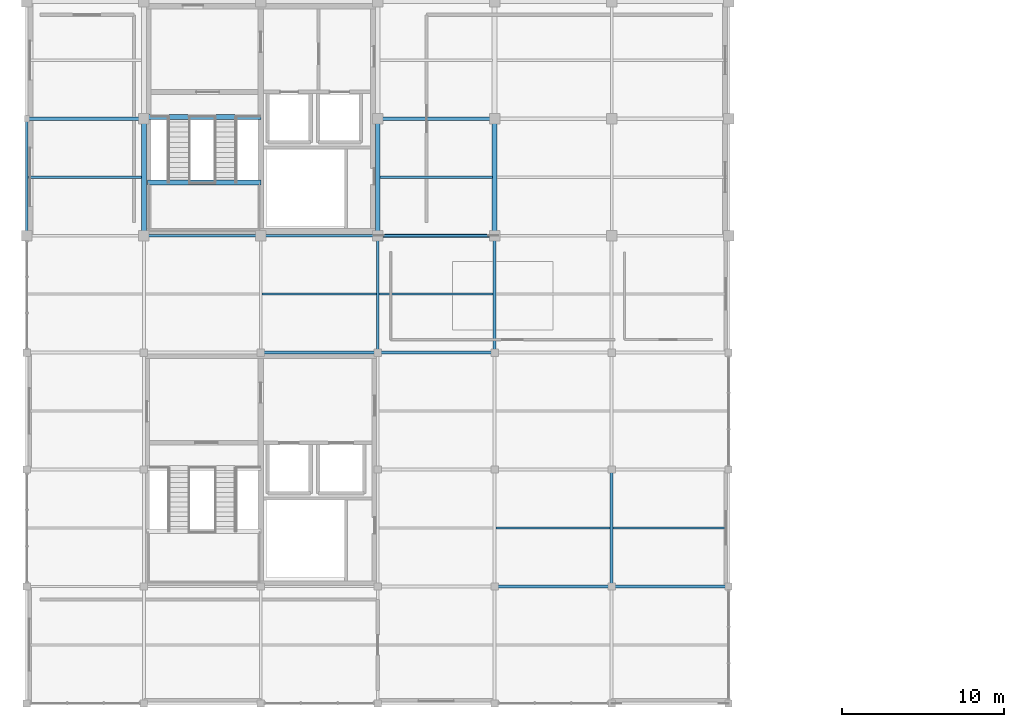
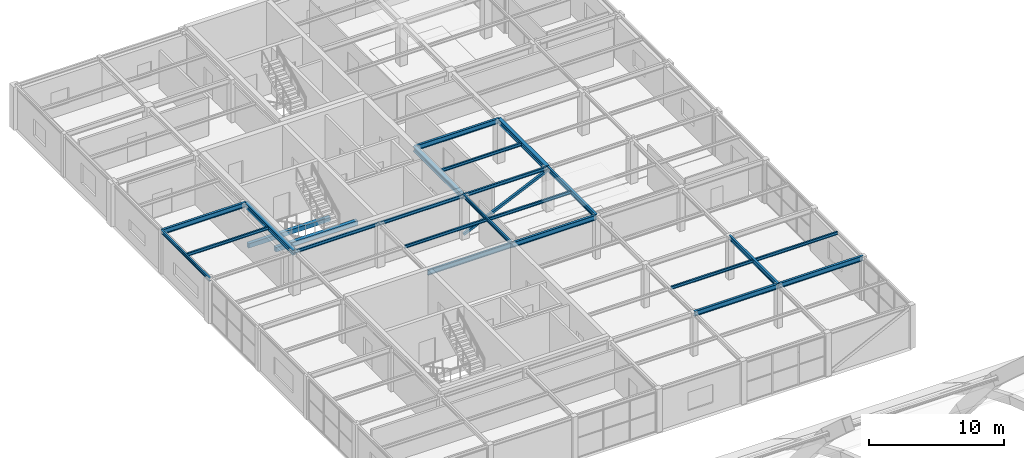
# One storey, part 32 of 64: 24 beams, 1 member.
"""IFC4 building model written with IfcOpenShell, lengths in metres."""

import ifcopenshell
import ifcopenshell.guid

model = None  # the IFC model being written
_history = None  # IfcOwnerHistory: only IFC2X3 demands one
_inside = {}  # id of a spatial element -> (the spatial element, [elements in it])
_under = {}  # id of a project, library or spatial element -> (it, [spatial elements below it])
_declared = {}  # id of a project -> (the project, [libraries it declares])
_typed = {}  # id of a type object -> (the type object, [elements of that type])
_made_of = {}  # id of a material, layer set ... -> (it, [elements and type objects made of it])


def new_model(schema):
    """Start an empty IFC model of exactly this schema.

    Asked for "IFC4X3", IfcOpenShell would pick the latest addendum, in which some entities
    have other attributes; the version numbers below select the first issue.
    IFC2X3 requires an IfcOwnerHistory on every rooted entity: one is made here for all.
    """
    global model, _history
    if schema == "IFC4X3":
        model = ifcopenshell.file(schema_version=(4, 3, 0, 0))
    else:
        model = ifcopenshell.file(schema=schema)
    _inside.clear()
    _under.clear()
    _declared.clear()
    _typed.clear()
    _made_of.clear()
    _history = None
    if model.schema == "IFC2X3":
        org = make("IfcOrganization", Name="unknown")
        user = make(
            "IfcPersonAndOrganization",
            ThePerson=make("IfcPerson", FamilyName="unknown"),
            TheOrganization=org,
        )
        app = make(
            "IfcApplication",
            ApplicationDeveloper=org,
            Version="unknown",
            ApplicationFullName="unknown",
            ApplicationIdentifier="unknown",
        )
        _history = make(
            "IfcOwnerHistory",
            OwningUser=user,
            OwningApplication=app,
            ChangeAction="ADDED",
            CreationDate=0,
        )
    return model


def make(cls, **values):
    """One entity of the class cls with the attributes given. An attribute that is None is left unset."""
    return model.create_entity(
        cls, **{name: value for name, value in values.items() if value is not None}
    )


def rooted(cls, **values):
    """An entity with a GlobalId (a new one), such as an element, a storey or a relation."""
    return make(cls, GlobalId=ifcopenshell.guid.new(), OwnerHistory=_history, **values)


def si_unit(unit_type, name, prefix=None):
    """IfcSIUnit, for example si_unit("LENGTHUNIT", "METRE", prefix="MILLI")."""
    return make("IfcSIUnit", UnitType=unit_type, Prefix=prefix, Name=name)


def assignment(units):
    """IfcUnitAssignment: the units of a project."""
    return None if units is None else make("IfcUnitAssignment", Units=units)


def point(xyz):
    """IfcCartesianPoint."""
    return None if xyz is None else make("IfcCartesianPoint", Coordinates=xyz)


def direction(xyz):
    """IfcDirection."""
    return None if xyz is None else make("IfcDirection", DirectionRatios=xyz)


def frame(location, z_axis=None, x_axis=None):
    """IfcAxis2Placement3D, a coordinate frame: its origin and axes. An axis left out is left unset."""
    return make(
        "IfcAxis2Placement3D",
        Location=point(location),
        Axis=direction(z_axis),
        RefDirection=direction(x_axis),
    )


def frame_2d(location, x_axis=None):
    """IfcAxis2Placement2D, a coordinate frame in the plane: its origin and x axis."""
    return make(
        "IfcAxis2Placement2D", Location=point(location), RefDirection=direction(x_axis)
    )


def origin():
    """The frame at (0, 0, 0) with its axes left unset."""
    return frame((0.0, 0.0, 0.0))


def origin_2d():
    """The frame at (0, 0) in the plane with its x axis left unset."""
    return frame_2d((0.0, 0.0))


def place(relative_to, where):
    """IfcLocalPlacement: puts the frame where relative to a parent placement (None: the world)."""
    return make(
        "IfcLocalPlacement", PlacementRelTo=relative_to, RelativePlacement=where
    )


def context(
    kind, dimensions, precision=None, world=None, true_north=None, identifier=None
):
    """IfcGeometricRepresentationContext, for example the 3D "Model" context."""
    return make(
        "IfcGeometricRepresentationContext",
        ContextIdentifier=identifier,
        ContextType=kind,
        CoordinateSpaceDimension=dimensions,
        Precision=precision,
        WorldCoordinateSystem=world,
        TrueNorth=true_north,
    )


def subcontext(parent, identifier, kind, view, scale=None):
    """IfcGeometricRepresentationSubContext, for example "Body" below "Model"."""
    return make(
        "IfcGeometricRepresentationSubContext",
        ContextIdentifier=identifier,
        ContextType=kind,
        ParentContext=parent,
        TargetScale=scale,
        TargetView=view,
    )


def project(units=None, contexts=None):
    """IfcProject with its units and contexts."""
    return rooted(
        "IfcProject",
        Name="project",
        RepresentationContexts=contexts,
        UnitsInContext=assignment(units),
    )


def spatial(cls, under=None, at=None, **own):
    """A site, building, storey or space (cls), placed at a placement, below another one or the project."""
    s = rooted(cls, ObjectPlacement=at, **own)
    if under is not None:
        _under.setdefault(under.id(), (under, []))[1].append(s)
    return s


def profile(cls, at=None, kind="AREA", **sizes):
    """A parametric profile (cls). Its sizes go by their IFC names, for example OverallWidth=200.0."""
    return make(cls, ProfileType=kind, Position=at, **sizes)


def rectangle(**sizes):
    """IfcRectangleProfileDef."""
    return profile("IfcRectangleProfileDef", **sizes)


def hollow_rectangle(**sizes):
    """IfcRectangleHollowProfileDef."""
    return profile("IfcRectangleHollowProfileDef", **sizes)


def i_section(**sizes):
    """IfcIShapeProfileDef."""
    return profile("IfcIShapeProfileDef", **sizes)


def extrude(swept, where, along, depth):
    """IfcExtrudedAreaSolid: the profile swept, set in the frame where, extruded along a direction by depth."""
    return make(
        "IfcExtrudedAreaSolid",
        SweptArea=swept,
        Position=where,
        ExtrudedDirection=direction(along),
        Depth=depth,
    )


def shape(context_of_items, identifier, shape_type, items):
    """IfcShapeRepresentation: the items that make up one representation, for example the "Body"."""
    return make(
        "IfcShapeRepresentation",
        ContextOfItems=context_of_items,
        RepresentationIdentifier=identifier,
        RepresentationType=shape_type,
        Items=items,
    )


def material(Name=None, Category=None):
    """IfcMaterial."""
    return make("IfcMaterial", Name=Name, Category=Category)


def material_profile(
    of_material, cross_section, Name=None, Category=None, Priority=None
):
    """IfcMaterialProfile: a cross section and its material."""
    return make(
        "IfcMaterialProfile",
        Name=Name,
        Material=of_material,
        Profile=cross_section,
        Priority=Priority,
        Category=Category,
    )


def profile_set(profiles, Name=None, composite=None):
    """IfcMaterialProfileSet."""
    return make(
        "IfcMaterialProfileSet",
        Name=Name,
        MaterialProfiles=profiles,
        CompositeProfile=composite,
    )


def made_of(thing, what):
    """Note that an element or type object is made of a material, layer set ...; save() writes the relation."""
    if what is not None:
        _made_of.setdefault(what.id(), (what, []))[1].append(thing)
    return thing


def type_object(cls, material=None, **own):
    """A type object (cls), such as IfcWallType, which elements share."""
    return made_of(rooted(cls, **own), material)


def element(
    cls,
    number,
    at=None,
    inside=None,
    cuts=None,
    type_object=None,
    material=None,
    context=None,
    identifier="Body",
    shape_type=None,
    held_by="IfcProductDefinitionShape",
    body=None,
    shapes=None,
    **own,
):
    """One element of the class cls, such as IfcWall. Its Tag is "e" and its number.

    at: its placement. inside: the storey or other place that contains it. cuts: it is an
    opening in that element (IfcRelVoidsElement). A single representation is given by context,
    identifier, shape_type and body (its items); several are given by shapes. held_by: the class
    of the entity that holds the representations. save() writes the other relations.
    """
    e = rooted(cls, Tag="e%d" % number, ObjectPlacement=at, **own)
    if body is not None:
        shapes = [shape(context, identifier, shape_type, body)]
    if shapes is not None:
        e.Representation = make(held_by, Representations=shapes)
    if inside is not None:
        _inside.setdefault(inside.id(), (inside, []))[1].append(e)
    if cuts is not None:
        rooted(
            "IfcRelVoidsElement", RelatingBuildingElement=cuts, RelatedOpeningElement=e
        )
    if type_object is not None:
        _typed.setdefault(type_object.id(), (type_object, []))[1].append(e)
    return made_of(e, material)


def aggregate(whole, parts):
    """IfcRelAggregates: a whole, such as a stair, and the parts it consists of."""
    return rooted("IfcRelAggregates", RelatingObject=whole, RelatedObjects=parts)


def save(model, path):
    """Write the relations noted so far, then the file.

    IfcRelAggregates (storeys below a building ...), IfcRelContainedInSpatialStructure (elements
    in a storey), IfcRelDefinesByType, IfcRelAssociatesMaterial and IfcRelDeclares: one each for
    every whole, place, type object, material and project.
    """
    for whole, parts in _under.values():
        aggregate(whole, parts)
    for where, things in _inside.values():
        rooted(
            "IfcRelContainedInSpatialStructure",
            RelatedElements=things,
            RelatingStructure=where,
        )
    for kind, things in _typed.values():
        rooted("IfcRelDefinesByType", RelatedObjects=things, RelatingType=kind)
    for what, things in _made_of.values():
        rooted("IfcRelAssociatesMaterial", RelatedObjects=things, RelatingMaterial=what)
    for by, libraries in _declared.values():
        rooted("IfcRelDeclares", RelatingContext=by, RelatedDefinitions=libraries)
    model.write(path)


model = new_model("IFC4")

# Units and contexts
model_context = context("Model", 3, precision=1e-05, world=origin(), true_north=direction((0.0, 1.0)))
body_context = subcontext(model_context, "Body", "Model", "MODEL_VIEW")
ifc_project = project(units=[si_unit("LENGTHUNIT", "METRE"), si_unit("AREAUNIT", "SQUARE_METRE"), si_unit("VOLUMEUNIT", "CUBIC_METRE"), si_unit("PLANEANGLEUNIT", "RADIAN"), si_unit("MASSUNIT", "GRAM", prefix="KILO")], contexts=[model_context])

# Site, building, storey
site_placement = place(None, origin())
site = spatial("IfcSite", under=ifc_project, at=site_placement, CompositionType="ELEMENT")
building_placement = place(site_placement, origin())
building = spatial("IfcBuilding", under=site, at=building_placement, Name="Leyfeld Transit Interchange", CompositionType="ELEMENT")
storey_placement = place(building_placement, frame((0.0, 0.0, 9.60009765625)))
storey = spatial("IfcBuildingStorey", under=building, at=storey_placement, Name="L02", CompositionType="ELEMENT", Elevation=9.60009765625)

# Beams
ifc_material_1 = material(Name="Concrete C35/45", Category="concrete")
ifc_material_profile_1 = material_profile(ifc_material_1, rectangle(XDim=0.300048828125, YDim=0.39990234375, at=origin_2d()), Name="RC 400x300")
ifc_profile_set_1 = profile_set([ifc_material_profile_1], Name="Concrete C35/45")
beam_type_1 = type_object("IfcBeamType", Name="BM-RC-400x300", PredefinedType="LINTEL", material=ifc_profile_set_1)
for number, where, z_axis, x_axis, name in (
    (1, (7.425048828125, 100.89990234375, -0.2001953125), (1.0, 0.0, 0.0), (0.0, 1.0, 0.0), "Core K1 Floor Landing Corbel L02"),
    (2, (7.425048828125, 96.8701171875, 1.89990234375), (1.0, 0.0, 0.0), (0.0, 1.0, 0.0), "Stair ST-01 L02 Half-Landing Corbel"),
):
    element("IfcBeam", number, at=place(storey_placement, frame(where, z_axis=z_axis, x_axis=x_axis)), inside=storey, type_object=beam_type_1, Name=name, PredefinedType="LINTEL", context=body_context, shape_type="SweptSolid", body=[
        extrude(rectangle(XDim=0.300048828125, YDim=0.39990234375, at=origin_2d()), origin(), (0.0, 0.0, 1.0), 6.974853515625),
    ])
ifc_material_2 = material(Name="Steel S355J2", Category="steel")
ifc_material_profile_2 = material_profile(ifc_material_2, i_section(OverallWidth=0.300048828125, OverallDepth=0.449951171875, WebThickness=0.013916015625, FlangeThickness=0.02587890625, FilletRadius=0.027099609375, at=origin_2d()), Name="HEB 450")
ifc_profile_set_2 = profile_set([ifc_material_profile_2], Name="Steel S355J2")
beam_type_2 = type_object("IfcBeamType", Name="BM-STL-HEB450", PredefinedType="JOIST", material=ifc_profile_set_2)
for number, where, z_axis, x_axis, name in (
    (3, (7.199951171875, 93.60009765625, 3.65478515625), (0.0, 1.0, 0.0), (-1.0, 0.0, 0.0), "Beam BM-L02-0072_0936-0072_1008"),
    (4, (21.60009765625, 93.60009765625, 3.65478515625), (0.0, 1.0, 0.0), (-1.0, 0.0, 0.0), "Beam BM-L02-0216_0936-0216_1008"),
    (5, (28.800048828125, 93.60009765625, 3.65478515625), (0.0, 1.0, 0.0), (-1.0, 0.0, 0.0), "Beam BM-L02-0288_0936-0288_1008"),
):
    element("IfcBeam", number, at=place(storey_placement, frame(where, z_axis=z_axis, x_axis=x_axis)), inside=storey, type_object=beam_type_2, Name=name, PredefinedType="JOIST", context=body_context, shape_type="SweptSolid", body=[
        extrude(i_section(OverallWidth=0.300048828125, OverallDepth=0.449951171875, WebThickness=0.013916015625, FlangeThickness=0.02587890625, FilletRadius=0.027099609375, at=origin_2d()), origin(), (0.0, 0.0, 1.0), 7.199951171875),
    ])
ifc_material_profile_3 = material_profile(ifc_material_2, i_section(OverallWidth=0.135009765625, OverallDepth=0.27001953125, WebThickness=0.006591796875, FlangeThickness=0.01025390625, FilletRadius=0.014892578125, at=origin_2d()), Name="IPE 270")
ifc_profile_set_3 = profile_set([ifc_material_profile_3], Name="Steel S355J2")
beam_type_3 = type_object("IfcBeamType", Name="BM-STL-IPE270", PredefinedType="BEAM", material=ifc_profile_set_3)
beam_1_placement = place(storey_placement, frame((14.487060546875, 90.0, 3.784912109375), z_axis=(1.0, 0.0, 0.0), x_axis=(0.0, 1.0, 0.0)))
element("IfcBeam", 6, at=beam_1_placement, inside=storey, type_object=beam_type_3, Name="Beam BM-L02-0145_0900-0215_0900", PredefinedType="BEAM", context=body_context, shape_type="SweptSolid", body=[
    extrude(i_section(OverallWidth=0.135009765625, OverallDepth=0.27001953125, WebThickness=0.006591796875, FlangeThickness=0.01025390625, FilletRadius=0.014892578125, at=origin_2d()), origin(), (0.0, 0.0, 1.0), 7.041015625),
])
beam_2_placement = place(storey_placement, frame((28.886962890625, 75.60009765625, 3.764892578125), z_axis=(1.0, 0.0, 0.0), x_axis=(0.0, 1.0, 0.0)))
element("IfcBeam", 7, at=beam_2_placement, inside=storey, type_object=beam_type_3, Name="Beam BM-L02-0289_0756-0359_0756", PredefinedType="BEAM", context=body_context, shape_type="SweptSolid", body=[
    extrude(i_section(OverallWidth=0.135009765625, OverallDepth=0.27001953125, WebThickness=0.006591796875, FlangeThickness=0.01025390625, FilletRadius=0.014892578125, at=origin_2d()), origin(), (0.0, 0.0, 1.0), 7.026123046875),
])
beam_3_placement = place(storey_placement, frame((36.0869140625, 75.60009765625, 3.764892578125), z_axis=(1.0, 0.0, 0.0), x_axis=(0.0, 1.0, 0.0)))
element("IfcBeam", 8, at=beam_3_placement, inside=storey, type_object=beam_type_3, Name="Beam BM-L02-0361_0756-0431_0756", PredefinedType="BEAM", context=body_context, shape_type="SweptSolid", body=[
    extrude(i_section(OverallWidth=0.135009765625, OverallDepth=0.27001953125, WebThickness=0.006591796875, FlangeThickness=0.01025390625, FilletRadius=0.014892578125, at=origin_2d()), origin(), (0.0, 0.0, 1.0), 7.041015625),
])
beam_4_placement = place(storey_placement, frame((21.672119140625, 90.0, 3.764892578125), z_axis=(1.0, 0.0, 0.0), x_axis=(0.0, 1.0, 0.0)))
element("IfcBeam", 9, at=beam_4_placement, inside=storey, type_object=beam_type_3, Name="Beam BM-L02-0217_0900-0287_0900", PredefinedType="BEAM", context=body_context, shape_type="SweptSolid", body=[
    extrude(i_section(OverallWidth=0.135009765625, OverallDepth=0.27001953125, WebThickness=0.006591796875, FlangeThickness=0.01025390625, FilletRadius=0.014892578125, at=origin_2d()), origin(), (0.0, 0.0, 1.0), 7.040771484375),
])
beam_5_placement = place(storey_placement, frame((0.072021484375, 97.199951171875, 3.744873046875), z_axis=(1.0, 0.0, 0.0), x_axis=(0.0, 1.0, 0.0)))
element("IfcBeam", 10, at=beam_5_placement, inside=storey, type_object=beam_type_3, Name="Beam BM-L02-0001_0972-0071_0972", PredefinedType="BEAM", context=body_context, shape_type="SweptSolid", body=[
    extrude(i_section(OverallWidth=0.135009765625, OverallDepth=0.27001953125, WebThickness=0.006591796875, FlangeThickness=0.01025390625, FilletRadius=0.014892578125, at=origin_2d()), origin(), (0.0, 0.0, 1.0), 6.98095703125),
])
beam_6_placement = place(storey_placement, frame((21.7470703125, 97.199951171875, 3.744873046875), z_axis=(1.0, 0.0, 0.0), x_axis=(0.0, 1.0, 0.0)))
element("IfcBeam", 11, at=beam_6_placement, inside=storey, type_object=beam_type_3, Name="Beam BM-L02-0217_0972-0287_0972", PredefinedType="BEAM", context=body_context, shape_type="SweptSolid", body=[
    extrude(i_section(OverallWidth=0.135009765625, OverallDepth=0.27001953125, WebThickness=0.006591796875, FlangeThickness=0.01025390625, FilletRadius=0.014892578125, at=origin_2d()), origin(), (0.0, 0.0, 1.0), 6.906005859375),
])
ifc_material_profile_4 = material_profile(ifc_material_2, i_section(OverallWidth=0.14990234375, OverallDepth=0.300048828125, WebThickness=0.007080078125, FlangeThickness=0.0107421875, FilletRadius=0.014892578125, at=origin_2d()), Name="IPE 300")
ifc_profile_set_4 = profile_set([ifc_material_profile_4], Name="Steel S355J2")
beam_type_4 = type_object("IfcBeamType", Name="BM-STL-IPE300", PredefinedType="SPANDREL", material=ifc_profile_set_4)
beam_7_placement = place(storey_placement, frame((21.60009765625, 86.39990234375, 3.75), z_axis=(0.0, 1.0, 0.0), x_axis=(-1.0, 0.0, 0.0)))
element("IfcBeam", 12, at=beam_7_placement, inside=storey, type_object=beam_type_4, Name="Beam BM-L02-0216_0864-0216_0936", PredefinedType="SPANDREL", context=body_context, shape_type="SweptSolid", body=[
    extrude(i_section(OverallWidth=0.14990234375, OverallDepth=0.300048828125, WebThickness=0.007080078125, FlangeThickness=0.0107421875, FilletRadius=0.014892578125, at=origin_2d()), origin(), (0.0, 0.0, 1.0), 7.2001953125),
])
beam_8_placement = place(storey_placement, frame((7.199951171875, 93.60009765625, 3.72998046875), z_axis=(1.0, 0.0, 0.0), x_axis=(0.0, 1.0, 0.0)))
element("IfcBeam", 13, at=beam_8_placement, inside=storey, type_object=beam_type_4, Name="Beam BM-L02-0072_0936-0144_0936", PredefinedType="SPANDREL", context=body_context, shape_type="SweptSolid", body=[
    extrude(i_section(OverallWidth=0.14990234375, OverallDepth=0.300048828125, WebThickness=0.007080078125, FlangeThickness=0.0107421875, FilletRadius=0.014892578125, at=origin_2d()), origin(), (0.0, 0.0, 1.0), 7.199951171875),
])
beam_9_placement = place(storey_placement, frame((14.39990234375, 93.60009765625, 3.72998046875), z_axis=(1.0, 0.0, 0.0), x_axis=(0.0, 1.0, 0.0)))
element("IfcBeam", 14, at=beam_9_placement, inside=storey, type_object=beam_type_4, Name="Beam BM-L02-0144_0936-0216_0936", PredefinedType="SPANDREL", context=body_context, shape_type="SweptSolid", body=[
    extrude(i_section(OverallWidth=0.14990234375, OverallDepth=0.300048828125, WebThickness=0.007080078125, FlangeThickness=0.0107421875, FilletRadius=0.014892578125, at=origin_2d()), origin(), (0.0, 0.0, 1.0), 7.2001953125),
])
for number, where, z_axis, x_axis, name in (
    (15, (21.60009765625, 93.60009765625, 3.72998046875), (1.0, 0.0, 0.0), (0.0, 1.0, 0.0), "Beam BM-L02-0216_0936-0288_0936"),
    (16, (0.0, 93.60009765625, 3.72998046875), (0.0, 1.0, 0.0), (-1.0, 0.0, 0.0), "Beam BM-L02-0000_0936-0000_1008"),
):
    element("IfcBeam", number, at=place(storey_placement, frame(where, z_axis=z_axis, x_axis=x_axis)), inside=storey, type_object=beam_type_4, Name=name, PredefinedType="SPANDREL", context=body_context, shape_type="SweptSolid", body=[
        extrude(i_section(OverallWidth=0.14990234375, OverallDepth=0.300048828125, WebThickness=0.007080078125, FlangeThickness=0.0107421875, FilletRadius=0.014892578125, at=origin_2d()), origin(), (0.0, 0.0, 1.0), 7.199951171875),
    ])
ifc_material_profile_5 = material_profile(ifc_material_2, i_section(OverallWidth=0.179931640625, OverallDepth=0.39990234375, WebThickness=0.008544921875, FlangeThickness=0.013427734375, FilletRadius=0.02099609375, at=origin_2d()), Name="IPE 400")
ifc_profile_set_5 = profile_set([ifc_material_profile_5], Name="Steel S355J2")
beam_type_5 = type_object("IfcBeamType", Name="BM-STL-IPE400", PredefinedType="BEAM", material=ifc_profile_set_5)
beam_10_placement = place(storey_placement, frame((28.800048828125, 86.39990234375, 3.699951171875), z_axis=(0.0, 1.0, 0.0), x_axis=(-1.0, 0.0, 0.0)))
element("IfcBeam", 17, at=beam_10_placement, inside=storey, type_object=beam_type_5, Name="Beam BM-L02-0288_0864-0288_0936", PredefinedType="BEAM", context=body_context, shape_type="SweptSolid", body=[
    extrude(i_section(OverallWidth=0.179931640625, OverallDepth=0.39990234375, WebThickness=0.008544921875, FlangeThickness=0.013427734375, FilletRadius=0.02099609375, at=origin_2d()), origin(), (0.0, 0.0, 1.0), 7.2001953125),
])
beam_11_placement = place(storey_placement, frame((36.0, 72.0, 3.699951171875), z_axis=(0.0, 1.0, 0.0), x_axis=(-1.0, 0.0, 0.0)))
element("IfcBeam", 18, at=beam_11_placement, inside=storey, type_object=beam_type_5, Name="Beam BM-L02-0360_0720-0360_0792", PredefinedType="BEAM", context=body_context, shape_type="SweptSolid", body=[
    extrude(i_section(OverallWidth=0.179931640625, OverallDepth=0.39990234375, WebThickness=0.008544921875, FlangeThickness=0.013427734375, FilletRadius=0.02099609375, at=origin_2d()), origin(), (0.0, 0.0, 1.0), 7.199951171875),
])
ifc_material_profile_6 = material_profile(ifc_material_2, i_section(OverallWidth=0.18994140625, OverallDepth=0.449951171875, WebThickness=0.009521484375, FlangeThickness=0.0146484375, FilletRadius=0.02099609375, at=origin_2d()), Name="IPE 450")
ifc_profile_set_6 = profile_set([ifc_material_profile_6], Name="Steel S355J2")
beam_type_6 = type_object("IfcBeamType", Name="BM-STL-IPE450", PredefinedType="BEAM", material=ifc_profile_set_6)
beam_12_placement = place(storey_placement, frame((14.39990234375, 86.39990234375, 3.69482421875), z_axis=(1.0, 0.0, 0.0), x_axis=(0.0, 1.0, 0.0)))
element("IfcBeam", 19, at=beam_12_placement, inside=storey, type_object=beam_type_6, Name="Beam BM-L02-0144_0864-0216_0864", PredefinedType="BEAM", context=body_context, shape_type="SweptSolid", body=[
    extrude(i_section(OverallWidth=0.18994140625, OverallDepth=0.449951171875, WebThickness=0.009521484375, FlangeThickness=0.0146484375, FilletRadius=0.02099609375, at=origin_2d()), origin(), (0.0, 0.0, 1.0), 7.2001953125),
])
for number, where, z_axis, x_axis, name in (
    (20, (28.800048828125, 72.0, 3.6748046875), (1.0, 0.0, 0.0), (0.0, 1.0, 0.0), "Beam BM-L02-0288_0720-0360_0720"),
    (21, (36.0, 72.0, 3.6748046875), (1.0, 0.0, 0.0), (0.0, 1.0, 0.0), "Beam BM-L02-0360_0720-0432_0720"),
    (22, (21.60009765625, 86.39990234375, 3.6748046875), (1.0, 0.0, 0.0), (0.0, 1.0, 0.0), "Beam BM-L02-0216_0864-0288_0864"),
    (23, (0.0, 100.800048828125, 3.65478515625), (1.0, 0.0, 0.0), (0.0, 1.0, 0.0), "Beam BM-L02-0000_1008-0072_1008"),
    (24, (21.60009765625, 100.800048828125, 3.65478515625), (1.0, 0.0, 0.0), (0.0, 1.0, 0.0), "Beam BM-L02-0216_1008-0288_1008"),
):
    element("IfcBeam", number, at=place(storey_placement, frame(where, z_axis=z_axis, x_axis=x_axis)), inside=storey, type_object=beam_type_6, Name=name, PredefinedType="BEAM", context=body_context, shape_type="SweptSolid", body=[
        extrude(i_section(OverallWidth=0.18994140625, OverallDepth=0.449951171875, WebThickness=0.009521484375, FlangeThickness=0.0146484375, FilletRadius=0.02099609375, at=origin_2d()), origin(), (0.0, 0.0, 1.0), 7.199951171875),
    ])

# Member
ifc_material_profile_7 = material_profile(ifc_material_2, hollow_rectangle(XDim=0.199951171875, YDim=0.199951171875, WallThickness=0.010009765625, at=origin_2d()), Name="SHS 200x200x10")
ifc_profile_set_7 = profile_set([ifc_material_profile_7], Name="Steel S355J2")
member_type = type_object("IfcMemberType", Name="MEM-BRC-SHS200", PredefinedType="BRACE", material=ifc_profile_set_7)
member_placement = place(storey_placement, frame((21.60009765625, 93.60009765625, 0.25), z_axis=(0.909073092956, 0.0, 0.41663666625), x_axis=(0.0, 1.0, 0.0)))
element("IfcMember", 25, at=member_placement, inside=storey, type_object=member_type, Name="Lateral Diagonal Brace 003", PredefinedType="BRACE", context=body_context, shape_type="SweptSolid", body=[
    extrude(hollow_rectangle(XDim=0.199951171875, YDim=0.199951171875, WallThickness=0.010009765625, at=origin_2d()), origin(), (0.0, 0.0, 1.0), 7.920166015625),
])

save(model, "model.ifc")
